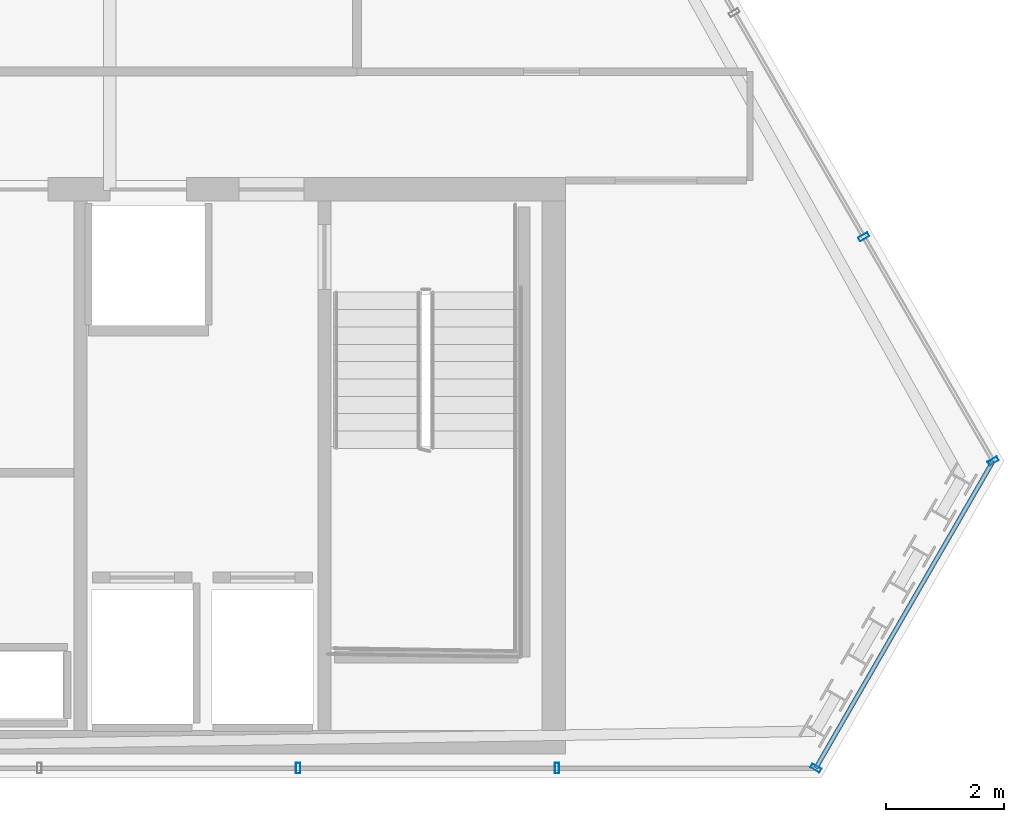
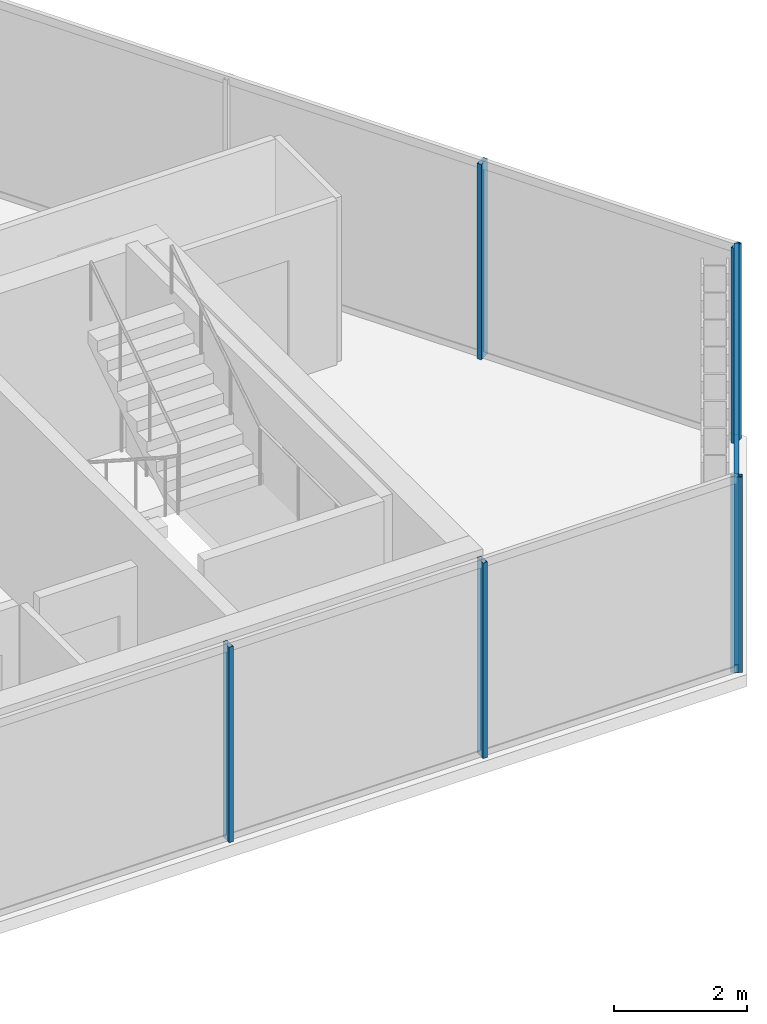
# One storey, part 19 of 32: 7 members, 3 elements without a shape of their own.
"""IFC4 building model written with IfcOpenShell, lengths in metres."""

from ifc_helpers import new_model, si_unit, direction, frame, origin, origin_2d, place, context, subcontext, project, spatial, hollow_rectangle, extrude, material, layer, layer_set, material_profile, profile_set, type_object, element, aggregate, save


model = new_model("IFC4")

# Units and contexts
model_context = context("Model", 3, precision=1e-05, world=origin(), true_north=direction((0.0, 1.0)))
body_context = subcontext(model_context, "Body", "Model", "MODEL_VIEW")
ifc_project = project(units=[si_unit("LENGTHUNIT", "METRE"), si_unit("AREAUNIT", "SQUARE_METRE"), si_unit("VOLUMEUNIT", "CUBIC_METRE"), si_unit("PLANEANGLEUNIT", "RADIAN"), si_unit("MASSUNIT", "GRAM", prefix="KILO")], contexts=[model_context])

# Site, building, storey
site_placement = place(None, origin())
site = spatial("IfcSite", under=ifc_project, at=site_placement, CompositionType="ELEMENT")
building_placement = place(site_placement, origin())
building = spatial("IfcBuilding", under=site, at=building_placement, Name="Ndaravel Arena Tower", CompositionType="ELEMENT")
storey_placement = place(building_placement, frame((0.0, 0.0, 256.0)))
storey = spatial("IfcBuildingStorey", under=building, at=storey_placement, Name="L62", CompositionType="ELEMENT", Elevation=256.0)

# Curtain wall, members
ifc_material_1 = material(Name="Aluminium", Category="aluminium")
ifc_layer_1 = layer(ifc_material_1, 0.179931640625)
ifc_layer_set_1 = layer_set([ifc_layer_1], Name="Aluminium")
curtain_wall_type_1 = type_object("IfcCurtainWallType", Name="CW-SYS-03", PredefinedType="NOTDEFINED", material=ifc_layer_set_1)
curtain_wall_1_placement = place(storey_placement, origin())
curtain_wall_1 = element("IfcCurtainWall", 1, at=curtain_wall_1_placement, inside=storey, type_object=curtain_wall_type_1, Name="L62 Faceted Crystal Curtain Wall CW-L62-E01", PredefinedType="NOTDEFINED")
ifc_material_2 = material(Name="Aluminium", Category="aluminium")
ifc_material_profile_1 = material_profile(ifc_material_2, hollow_rectangle(XDim=0.074951171875, YDim=0.179931640625, WallThickness=0.00390625, at=origin_2d()), Name="CW MULLION 75x180x4")
ifc_profile_set_1 = profile_set([ifc_material_profile_1], Name="Aluminium")
member_type_1 = type_object("IfcMemberType", Name="MEM-CW-MUL180", PredefinedType="MULLION", material=ifc_profile_set_1)
member_1_placement = place(storey_placement, frame((53.001708984375, 5.159912109375, 0.0), z_axis=(0.0, 0.0, 1.0), x_axis=(1.0, 0.0, 0.0)))
member_1 = element("IfcMember", 2, at=member_1_placement, type_object=member_type_1, Name="CW-L62-E01 Mullion 07", PredefinedType="MULLION", context=body_context, shape_type="SweptSolid", body=[
    extrude(hollow_rectangle(XDim=0.074951171875, YDim=0.179931640625, WallThickness=0.00390625, at=origin_2d()), origin(), (0.0, 0.0, 1.0), 3.580078125),
])
member_2_placement = place(storey_placement, frame((57.40234375, 5.159912109375, 0.0), z_axis=(0.0, 0.0, 1.0), x_axis=(1.0, 0.0, 0.0)))
member_2 = element("IfcMember", 3, at=member_2_placement, type_object=member_type_1, Name="CW-L62-E01 Mullion 08", PredefinedType="MULLION", context=body_context, shape_type="SweptSolid", body=[
    extrude(hollow_rectangle(XDim=0.074951171875, YDim=0.179931640625, WallThickness=0.00390625, at=origin_2d()), origin(), (0.0, 0.0, 1.0), 3.580078125),
])
aggregate(curtain_wall_1, [member_1, member_2])

# Curtain wall, member
ifc_material_3 = material(Name="Aluminium", Category="aluminium")
ifc_layer_2 = layer(ifc_material_3, 0.179931640625)
ifc_layer_set_2 = layer_set([ifc_layer_2], Name="Aluminium")
curtain_wall_type_2 = type_object("IfcCurtainWallType", Name="CW-SYS-01", PredefinedType="NOTDEFINED", material=ifc_layer_set_2)
curtain_wall_2_placement = place(storey_placement, origin())
curtain_wall_2 = element("IfcCurtainWall", 4, at=curtain_wall_2_placement, inside=storey, type_object=curtain_wall_type_2, Name="L62 Faceted Crystal Curtain Wall CW-L62-E02", PredefinedType="NOTDEFINED")
member_3_placement = place(storey_placement, frame((61.802978515625, 5.159912109375, 0.0), z_axis=(0.0, 0.0, 1.0), x_axis=(0.5, 0.866025403784, 0.0)))
member_3 = element("IfcMember", 5, at=member_3_placement, type_object=member_type_1, Name="CW-L62-E02 Mullion 00", PredefinedType="MULLION", context=body_context, shape_type="SweptSolid", body=[
    extrude(hollow_rectangle(XDim=0.074951171875, YDim=0.179931640625, WallThickness=0.00390625, at=origin_2d()), origin(), (0.0, 0.0, 1.0), 3.580078125),
])

# Curtain wall, members
curtain_wall_3_placement = place(storey_placement, origin())
curtain_wall_3 = element("IfcCurtainWall", 6, at=curtain_wall_3_placement, inside=storey, type_object=curtain_wall_type_1, Name="L62 Faceted Crystal Curtain Wall CW-L62-E03", PredefinedType="NOTDEFINED")
member_4_placement = place(storey_placement, frame((64.816650390625, 10.3798828125, 0.0), z_axis=(0.0, 0.0, 1.0), x_axis=(-0.5, 0.866025403784, 0.0)))
member_4 = element("IfcMember", 7, at=member_4_placement, type_object=member_type_1, Name="CW-L62-E03 Mullion 00", PredefinedType="MULLION", context=body_context, shape_type="SweptSolid", body=[
    extrude(hollow_rectangle(XDim=0.074951171875, YDim=0.179931640625, WallThickness=0.00390625, at=origin_2d()), origin(), (0.0, 0.0, 1.0), 3.580078125),
])
member_5_placement = place(storey_placement, frame((62.6162109375, 14.19091796875, 0.0), z_axis=(0.0, 0.0, 1.0), x_axis=(-0.5, 0.866025403784, 0.0)))
member_5 = element("IfcMember", 8, at=member_5_placement, type_object=member_type_1, Name="CW-L62-E03 Mullion 01", PredefinedType="MULLION", context=body_context, shape_type="SweptSolid", body=[
    extrude(hollow_rectangle(XDim=0.074951171875, YDim=0.179931640625, WallThickness=0.00390625, at=origin_2d()), origin(), (0.0, 0.0, 1.0), 3.580078125),
])
aggregate(curtain_wall_3, [member_4, member_5])

# Member
ifc_material_4 = material(Name="Aluminium", Category="aluminium")
ifc_material_profile_2 = material_profile(ifc_material_4, hollow_rectangle(XDim=0.074951171875, YDim=0.14990234375, WallThickness=0.00390625, at=origin_2d()), Name="CW TRANSOM 75x150x4")
ifc_profile_set_2 = profile_set([ifc_material_profile_2], Name="Aluminium")
member_type_2 = type_object("IfcMemberType", Name="MEM-CW-TRN150", PredefinedType="USERDEFINED", material=ifc_profile_set_2)
member_6_placement = place(storey_placement, frame((61.802978515625, 5.159912109375, 0.0400390625), z_axis=(0.49999009336, 0.86603112331, 0.0), x_axis=(-0.86603112331, 0.49999009336, 0.0)))
member_6 = element("IfcMember", 9, at=member_6_placement, type_object=member_type_2, Name="CW-L62-E02 Transom 01", ObjectType="TRANSOM", PredefinedType="USERDEFINED", context=body_context, shape_type="SweptSolid", body=[
    extrude(hollow_rectangle(XDim=0.074951171875, YDim=0.14990234375, WallThickness=0.00390625, at=origin_2d()), origin(), (0.0, 0.0, 1.0), 6.02734375),
])

member_7_placement = place(storey_placement, frame((61.802978515625, 5.159912109375, 3.5400390625), z_axis=(0.49999009336, 0.86603112331, 0.0), x_axis=(-0.86603112331, 0.49999009336, 0.0)))
member_7 = element("IfcMember", 10, at=member_7_placement, type_object=member_type_2, Name="CW-L62-E02 Transom 02", ObjectType="TRANSOM", PredefinedType="USERDEFINED", context=body_context, shape_type="SweptSolid", body=[
    extrude(hollow_rectangle(XDim=0.074951171875, YDim=0.14990234375, WallThickness=0.00390625, at=origin_2d()), origin(), (0.0, 0.0, 1.0), 6.02734375),
])

aggregate(curtain_wall_2, [member_3, member_6, member_7])

save(model, "model.ifc")
